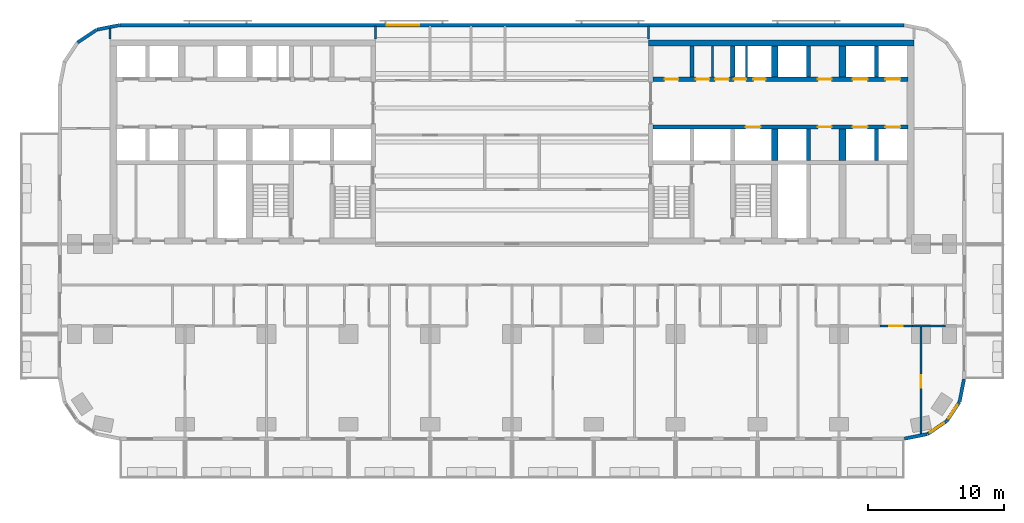
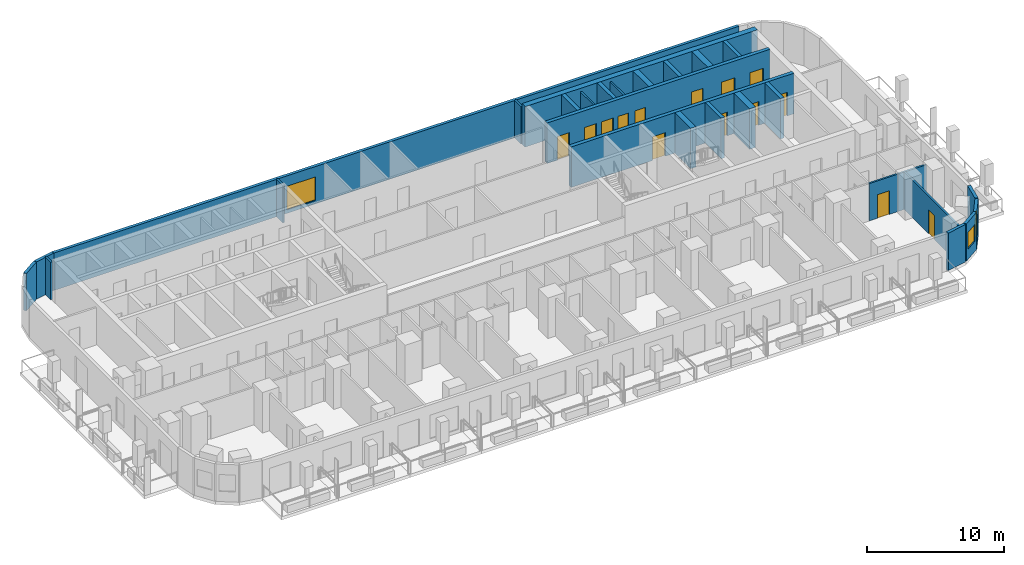
# One storey, part 8 of 14: 28 walls, 14 doors, 3 windows, 17 openings.
"""IFC4 building model written with IfcOpenShell, lengths in metres."""

import ifcopenshell
import ifcopenshell.guid

model = None  # the IFC model being written
_history = None  # IfcOwnerHistory: only IFC2X3 demands one
_inside = {}  # id of a spatial element -> (the spatial element, [elements in it])
_under = {}  # id of a project, library or spatial element -> (it, [spatial elements below it])
_declared = {}  # id of a project -> (the project, [libraries it declares])
_typed = {}  # id of a type object -> (the type object, [elements of that type])
_made_of = {}  # id of a material, layer set ... -> (it, [elements and type objects made of it])


def new_model(schema):
    """Start an empty IFC model of exactly this schema.

    Asked for "IFC4X3", IfcOpenShell would pick the latest addendum, in which some entities
    have other attributes; the version numbers below select the first issue.
    IFC2X3 requires an IfcOwnerHistory on every rooted entity: one is made here for all.
    """
    global model, _history
    if schema == "IFC4X3":
        model = ifcopenshell.file(schema_version=(4, 3, 0, 0))
    else:
        model = ifcopenshell.file(schema=schema)
    _inside.clear()
    _under.clear()
    _declared.clear()
    _typed.clear()
    _made_of.clear()
    _history = None
    if model.schema == "IFC2X3":
        org = make("IfcOrganization", Name="unknown")
        user = make(
            "IfcPersonAndOrganization",
            ThePerson=make("IfcPerson", FamilyName="unknown"),
            TheOrganization=org,
        )
        app = make(
            "IfcApplication",
            ApplicationDeveloper=org,
            Version="unknown",
            ApplicationFullName="unknown",
            ApplicationIdentifier="unknown",
        )
        _history = make(
            "IfcOwnerHistory",
            OwningUser=user,
            OwningApplication=app,
            ChangeAction="ADDED",
            CreationDate=0,
        )
    return model


def make(cls, **values):
    """One entity of the class cls with the attributes given. An attribute that is None is left unset."""
    return model.create_entity(
        cls, **{name: value for name, value in values.items() if value is not None}
    )


def rooted(cls, **values):
    """An entity with a GlobalId (a new one), such as an element, a storey or a relation."""
    return make(cls, GlobalId=ifcopenshell.guid.new(), OwnerHistory=_history, **values)


def si_unit(unit_type, name, prefix=None):
    """IfcSIUnit, for example si_unit("LENGTHUNIT", "METRE", prefix="MILLI")."""
    return make("IfcSIUnit", UnitType=unit_type, Prefix=prefix, Name=name)


def assignment(units):
    """IfcUnitAssignment: the units of a project."""
    return None if units is None else make("IfcUnitAssignment", Units=units)


def point(xyz):
    """IfcCartesianPoint."""
    return None if xyz is None else make("IfcCartesianPoint", Coordinates=xyz)


def direction(xyz):
    """IfcDirection."""
    return None if xyz is None else make("IfcDirection", DirectionRatios=xyz)


def frame(location, z_axis=None, x_axis=None):
    """IfcAxis2Placement3D, a coordinate frame: its origin and axes. An axis left out is left unset."""
    return make(
        "IfcAxis2Placement3D",
        Location=point(location),
        Axis=direction(z_axis),
        RefDirection=direction(x_axis),
    )


def frame_2d(location, x_axis=None):
    """IfcAxis2Placement2D, a coordinate frame in the plane: its origin and x axis."""
    return make(
        "IfcAxis2Placement2D", Location=point(location), RefDirection=direction(x_axis)
    )


def origin():
    """The frame at (0, 0, 0) with its axes left unset."""
    return frame((0.0, 0.0, 0.0))


def place(relative_to, where):
    """IfcLocalPlacement: puts the frame where relative to a parent placement (None: the world)."""
    return make(
        "IfcLocalPlacement", PlacementRelTo=relative_to, RelativePlacement=where
    )


def context(
    kind, dimensions, precision=None, world=None, true_north=None, identifier=None
):
    """IfcGeometricRepresentationContext, for example the 3D "Model" context."""
    return make(
        "IfcGeometricRepresentationContext",
        ContextIdentifier=identifier,
        ContextType=kind,
        CoordinateSpaceDimension=dimensions,
        Precision=precision,
        WorldCoordinateSystem=world,
        TrueNorth=true_north,
    )


def subcontext(parent, identifier, kind, view, scale=None):
    """IfcGeometricRepresentationSubContext, for example "Body" below "Model"."""
    return make(
        "IfcGeometricRepresentationSubContext",
        ContextIdentifier=identifier,
        ContextType=kind,
        ParentContext=parent,
        TargetScale=scale,
        TargetView=view,
    )


def project(units=None, contexts=None):
    """IfcProject with its units and contexts."""
    return rooted(
        "IfcProject",
        Name="project",
        RepresentationContexts=contexts,
        UnitsInContext=assignment(units),
    )


def spatial(cls, under=None, at=None, **own):
    """A site, building, storey or space (cls), placed at a placement, below another one or the project."""
    s = rooted(cls, ObjectPlacement=at, **own)
    if under is not None:
        _under.setdefault(under.id(), (under, []))[1].append(s)
    return s


def profile(cls, at=None, kind="AREA", **sizes):
    """A parametric profile (cls). Its sizes go by their IFC names, for example OverallWidth=200.0."""
    return make(cls, ProfileType=kind, Position=at, **sizes)


def rectangle(**sizes):
    """IfcRectangleProfileDef."""
    return profile("IfcRectangleProfileDef", **sizes)


def extrude(swept, where, along, depth):
    """IfcExtrudedAreaSolid: the profile swept, set in the frame where, extruded along a direction by depth."""
    return make(
        "IfcExtrudedAreaSolid",
        SweptArea=swept,
        Position=where,
        ExtrudedDirection=direction(along),
        Depth=depth,
    )


def shape(context_of_items, identifier, shape_type, items):
    """IfcShapeRepresentation: the items that make up one representation, for example the "Body"."""
    return make(
        "IfcShapeRepresentation",
        ContextOfItems=context_of_items,
        RepresentationIdentifier=identifier,
        RepresentationType=shape_type,
        Items=items,
    )


def material(Name=None, Category=None):
    """IfcMaterial."""
    return make("IfcMaterial", Name=Name, Category=Category)


def layer(
    of_material, thickness, ventilated=None, Name=None, Category=None, Priority=None
):
    """IfcMaterialLayer: one layer of a wall or slab, of a material (None: an air gap)."""
    return make(
        "IfcMaterialLayer",
        Material=of_material,
        LayerThickness=thickness,
        IsVentilated=ventilated,
        Name=Name,
        Category=Category,
        Priority=Priority,
    )


def layer_set(layers, Name=None):
    """IfcMaterialLayerSet."""
    return make("IfcMaterialLayerSet", MaterialLayers=layers, LayerSetName=Name)


def made_of(thing, what):
    """Note that an element or type object is made of a material, layer set ...; save() writes the relation."""
    if what is not None:
        _made_of.setdefault(what.id(), (what, []))[1].append(thing)
    return thing


def type_object(cls, material=None, **own):
    """A type object (cls), such as IfcWallType, which elements share."""
    return made_of(rooted(cls, **own), material)


def element(
    cls,
    number,
    at=None,
    inside=None,
    cuts=None,
    type_object=None,
    material=None,
    context=None,
    identifier="Body",
    shape_type=None,
    held_by="IfcProductDefinitionShape",
    body=None,
    shapes=None,
    **own,
):
    """One element of the class cls, such as IfcWall. Its Tag is "e" and its number.

    at: its placement. inside: the storey or other place that contains it. cuts: it is an
    opening in that element (IfcRelVoidsElement). A single representation is given by context,
    identifier, shape_type and body (its items); several are given by shapes. held_by: the class
    of the entity that holds the representations. save() writes the other relations.
    """
    e = rooted(cls, Tag="e%d" % number, ObjectPlacement=at, **own)
    if body is not None:
        shapes = [shape(context, identifier, shape_type, body)]
    if shapes is not None:
        e.Representation = make(held_by, Representations=shapes)
    if inside is not None:
        _inside.setdefault(inside.id(), (inside, []))[1].append(e)
    if cuts is not None:
        rooted(
            "IfcRelVoidsElement", RelatingBuildingElement=cuts, RelatedOpeningElement=e
        )
    if type_object is not None:
        _typed.setdefault(type_object.id(), (type_object, []))[1].append(e)
    return made_of(e, material)


def fill(opening, filler):
    """IfcRelFillsElement: the door or window that sits in an opening."""
    return rooted(
        "IfcRelFillsElement",
        RelatingOpeningElement=opening,
        RelatedBuildingElement=filler,
    )


def aggregate(whole, parts):
    """IfcRelAggregates: a whole, such as a stair, and the parts it consists of."""
    return rooted("IfcRelAggregates", RelatingObject=whole, RelatedObjects=parts)


def save(model, path):
    """Write the relations noted so far, then the file.

    IfcRelAggregates (storeys below a building ...), IfcRelContainedInSpatialStructure (elements
    in a storey), IfcRelDefinesByType, IfcRelAssociatesMaterial and IfcRelDeclares: one each for
    every whole, place, type object, material and project.
    """
    for whole, parts in _under.values():
        aggregate(whole, parts)
    for where, things in _inside.values():
        rooted(
            "IfcRelContainedInSpatialStructure",
            RelatedElements=things,
            RelatingStructure=where,
        )
    for kind, things in _typed.values():
        rooted("IfcRelDefinesByType", RelatedObjects=things, RelatingType=kind)
    for what, things in _made_of.values():
        rooted("IfcRelAssociatesMaterial", RelatedObjects=things, RelatingMaterial=what)
    for by, libraries in _declared.values():
        rooted("IfcRelDeclares", RelatingContext=by, RelatedDefinitions=libraries)
    model.write(path)


model = new_model("IFC4")

# Units and contexts
model_context = context("Model", 3, precision=1e-05, world=origin(), true_north=direction((0.0, 1.0)))
body_context = subcontext(model_context, "Body", "Model", "MODEL_VIEW")
ifc_project = project(units=[si_unit("LENGTHUNIT", "METRE"), si_unit("AREAUNIT", "SQUARE_METRE"), si_unit("VOLUMEUNIT", "CUBIC_METRE"), si_unit("PLANEANGLEUNIT", "RADIAN"), si_unit("MASSUNIT", "GRAM", prefix="KILO")], contexts=[model_context])

# Site, building, storey
site_placement = place(None, origin())
site = spatial("IfcSite", under=ifc_project, at=site_placement, CompositionType="ELEMENT")
building_placement = place(site_placement, origin())
building = spatial("IfcBuilding", under=site, at=building_placement, Name="Torana Hotel and Residences", CompositionType="ELEMENT")
storey_placement = place(building_placement, frame((0.0, 0.0, 74.39990234375)))
storey = spatial("IfcBuildingStorey", under=building, at=storey_placement, Name="L18", CompositionType="ELEMENT", Elevation=74.39990234375)

# Wall, openings, doors
ifc_material_1 = material(Name="Concrete C80/95", Category="concrete")
ifc_layer_1 = layer(ifc_material_1, 0.300048828125)
ifc_layer_set_1 = layer_set([ifc_layer_1], Name="CORE WALL 300 C80/95")
wall_type_1 = type_object("IfcWallType", Name="CORE WALL 300 C80/95", PredefinedType="SHEAR", material=ifc_layer_set_1)
wall_1_placement = place(storey_placement, frame((10.35009765625, -2.89990234375, 0.0), z_axis=(0.0, 0.0, 1.0), x_axis=(1.0, 0.0, 0.0)))
wall_1 = element("IfcWall", 1, at=wall_1_placement, inside=storey, type_object=wall_type_1, Name="Core wall E row-N", PredefinedType="SHEAR", context=body_context, shape_type="SweptSolid", body=[
    extrude(rectangle(XDim=18.699951171875, YDim=0.300048828125, at=frame_2d((9.35009765625, 0.0))), origin(), (0.0, 0.0, 1.0), 3.60009765625),
])
opening_1_placement = place(wall_1_placement, frame((14.64990234375, 0.0, 0.0)))
opening_1 = element("IfcOpeningElement", 2, at=opening_1_placement, cuts=wall_1, Name="Opening LD", PredefinedType="OPENING", context=body_context, shape_type="SweptSolid", body=[
    extrude(rectangle(XDim=1.10009765625, YDim=2.10009765625, at=frame_2d((0.550048828125, 1.050048828125))), frame((0.0, 0.159912109375, 0.0), z_axis=(0.0, -1.0, 0.0), x_axis=(1.0, 0.0, 0.0)), (0.0, 0.0, 1.0), 0.320068359375),
])
opening_2_placement = place(wall_1_placement, frame((17.050048828125, 0.0, 0.0)))
opening_2 = element("IfcOpeningElement", 3, at=opening_2_placement, cuts=wall_1, Name="Opening LD", PredefinedType="OPENING", context=body_context, shape_type="SweptSolid", body=[
    extrude(rectangle(XDim=1.10009765625, YDim=2.10009765625, at=frame_2d((0.550048828125, 1.050048828125))), frame((0.0, 0.159912109375, 0.0), z_axis=(0.0, -1.0, 0.0), x_axis=(1.0, 0.0, 0.0)), (0.0, 0.0, 1.0), 0.320068359375),
])
opening_3_placement = place(wall_1_placement, frame((5.9375, 0.0, 0.0)))
opening_3 = element("IfcOpeningElement", 4, at=opening_3_placement, cuts=wall_1, Name="Opening L18-28", PredefinedType="OPENING", context=body_context, shape_type="SweptSolid", body=[
    extrude(rectangle(XDim=0.89990234375, YDim=2.10009765625, at=frame_2d((0.449951171875, 1.050048828125))), frame((0.0, 0.159912109375, 0.0), z_axis=(0.0, -1.0, 0.0), x_axis=(1.0, 0.0, 0.0)), (0.0, 0.0, 1.0), 0.320068359375),
])
opening_4_placement = place(wall_1_placement, frame((7.362548828125, 0.0, 0.0)))
opening_4 = element("IfcOpeningElement", 5, at=opening_4_placement, cuts=wall_1, Name="Opening L18-29", PredefinedType="OPENING", context=body_context, shape_type="SweptSolid", body=[
    extrude(rectangle(XDim=0.89990234375, YDim=2.10009765625, at=frame_2d((0.449951171875, 1.050048828125))), frame((0.0, 0.159912109375, 0.0), z_axis=(0.0, -1.0, 0.0), x_axis=(1.0, 0.0, 0.0)), (0.0, 0.0, 1.0), 0.320068359375),
])
opening_5_placement = place(wall_1_placement, frame((0.85009765625, 0.0, 0.0)))
opening_5 = element("IfcOpeningElement", 6, at=opening_5_placement, cuts=wall_1, Name="Opening L18-30", PredefinedType="OPENING", context=body_context, shape_type="SweptSolid", body=[
    extrude(rectangle(XDim=1.0, YDim=2.10009765625, at=frame_2d((0.5, 1.050048828125))), frame((0.0, 0.159912109375, 0.0), z_axis=(0.0, -1.0, 0.0), x_axis=(1.0, 0.0, 0.0)), (0.0, 0.0, 1.0), 0.320068359375),
])
opening_6_placement = place(wall_1_placement, frame((3.137451171875, 0.0, 0.0)))
opening_6 = element("IfcOpeningElement", 7, at=opening_6_placement, cuts=wall_1, Name="Opening L18-31", PredefinedType="OPENING", context=body_context, shape_type="SweptSolid", body=[
    extrude(rectangle(XDim=1.0, YDim=2.10009765625, at=frame_2d((0.5, 1.050048828125))), frame((0.0, 0.159912109375, 0.0), z_axis=(0.0, -1.0, 0.0), x_axis=(1.0, 0.0, 0.0)), (0.0, 0.0, 1.0), 0.320068359375),
])
opening_7_placement = place(wall_1_placement, frame((4.5625, 0.0, 0.0)))
opening_7 = element("IfcOpeningElement", 8, at=opening_7_placement, cuts=wall_1, Name="Opening L18-32", PredefinedType="OPENING", context=body_context, shape_type="SweptSolid", body=[
    extrude(rectangle(XDim=1.0, YDim=2.10009765625, at=frame_2d((0.5, 1.050048828125))), frame((0.0, 0.159912109375, 0.0), z_axis=(0.0, -1.0, 0.0), x_axis=(1.0, 0.0, 0.0)), (0.0, 0.0, 1.0), 0.320068359375),
])
opening_8_placement = place(wall_1_placement, frame((12.10009765625, 0.0, 0.0)))
opening_8 = element("IfcOpeningElement", 9, at=opening_8_placement, cuts=wall_1, Name="Opening L18-33", PredefinedType="OPENING", context=body_context, shape_type="SweptSolid", body=[
    extrude(rectangle(XDim=1.0, YDim=2.10009765625, at=frame_2d((0.5, 1.050048828125))), frame((0.0, 0.159912109375, 0.0), z_axis=(0.0, -1.0, 0.0), x_axis=(1.0, 0.0, 0.0)), (0.0, 0.0, 1.0), 0.320068359375),
])
ifc_material_2 = material(Name="Steel S235", Category="steel")
door_type_1 = type_object("IfcDoorType", Name="CORE ROOM FIRE DOOR D14 1000x2100", OperationType="SINGLE_SWING_LEFT", PredefinedType="DOOR", material=ifc_material_2)
door_1_placement = place(opening_5_placement, origin())
door_1 = element("IfcDoor", 10, at=door_1_placement, inside=storey, type_object=door_type_1, Name="N0 door L18", OperationType="SINGLE_SWING_RIGHT", OverallHeight=2.10009765625, OverallWidth=1.0, PredefinedType="DOOR", context=body_context, shape_type="SweptSolid", body=[
    extrude(rectangle(XDim=1.0, YDim=2.10009765625, at=frame_2d((0.5, 1.050048828125))), frame((0.0, 0.02490234375, 0.0), z_axis=(0.0, -1.0, 0.0), x_axis=(1.0, 0.0, 0.0)), (0.0, 0.0, 1.0), 0.050048828125),
])
fill(opening_5, door_1)
door_2_placement = place(opening_6_placement, origin())
door_2 = element("IfcDoor", 11, at=door_2_placement, inside=storey, type_object=door_type_1, Name="N1A door L18", OperationType="SINGLE_SWING_RIGHT", OverallHeight=2.10009765625, OverallWidth=1.0, PredefinedType="DOOR", context=body_context, shape_type="SweptSolid", body=[
    extrude(rectangle(XDim=1.0, YDim=2.10009765625, at=frame_2d((0.5, 1.050048828125))), frame((0.0, 0.02490234375, 0.0), z_axis=(0.0, -1.0, 0.0), x_axis=(1.0, 0.0, 0.0)), (0.0, 0.0, 1.0), 0.050048828125),
])
fill(opening_6, door_2)
door_3_placement = place(opening_7_placement, origin())
door_3 = element("IfcDoor", 12, at=door_3_placement, inside=storey, type_object=door_type_1, Name="N1B door L18", OperationType="SINGLE_SWING_RIGHT", OverallHeight=2.10009765625, OverallWidth=1.0, PredefinedType="DOOR", context=body_context, shape_type="SweptSolid", body=[
    extrude(rectangle(XDim=1.0, YDim=2.10009765625, at=frame_2d((0.5, 1.050048828125))), frame((0.0, 0.02490234375, 0.0), z_axis=(0.0, -1.0, 0.0), x_axis=(1.0, 0.0, 0.0)), (0.0, 0.0, 1.0), 0.050048828125),
])
fill(opening_7, door_3)
door_4_placement = place(opening_8_placement, origin())
door_4 = element("IfcDoor", 13, at=door_4_placement, inside=storey, type_object=door_type_1, Name="Free-M3 door L18", OperationType="SINGLE_SWING_RIGHT", OverallHeight=2.10009765625, OverallWidth=1.0, PredefinedType="DOOR", context=body_context, shape_type="SweptSolid", body=[
    extrude(rectangle(XDim=1.0, YDim=2.10009765625, at=frame_2d((0.5, 1.050048828125))), frame((0.0, 0.02490234375, 0.0), z_axis=(0.0, -1.0, 0.0), x_axis=(1.0, 0.0, 0.0)), (0.0, 0.0, 1.0), 0.050048828125),
])
fill(opening_8, door_4)
ifc_material_3 = material(Name="Stainless steel 316", Category="steel")
door_type_2 = type_object("IfcDoorType", Name="LIFT LANDING DOOR LD 1100x2100", OperationType="DOUBLE_DOOR_SLIDING", PredefinedType="USERDEFINED", material=ifc_material_3)
door_5_placement = place(opening_1_placement, origin())
door_5 = element("IfcDoor", 14, at=door_5_placement, inside=storey, type_object=door_type_2, Name="Lift landing door L5 L18", ObjectType="LIFT LANDING DOOR", OperationType="DOUBLE_DOOR_SLIDING", OverallHeight=2.10009765625, OverallWidth=1.10009765625, PredefinedType="USERDEFINED", context=body_context, shape_type="SweptSolid", body=[
    extrude(rectangle(XDim=1.10009765625, YDim=2.10009765625, at=frame_2d((0.550048828125, 1.050048828125))), frame((0.0, 0.02490234375, 0.0), z_axis=(0.0, -1.0, 0.0), x_axis=(1.0, 0.0, 0.0)), (0.0, 0.0, 1.0), 0.050048828125),
])
fill(opening_1, door_5)
door_6_placement = place(opening_2_placement, origin())
door_6 = element("IfcDoor", 15, at=door_6_placement, inside=storey, type_object=door_type_2, Name="Lift landing door L6 L18", ObjectType="LIFT LANDING DOOR", OperationType="DOUBLE_DOOR_SLIDING", OverallHeight=2.10009765625, OverallWidth=1.10009765625, PredefinedType="USERDEFINED", context=body_context, shape_type="SweptSolid", body=[
    extrude(rectangle(XDim=1.10009765625, YDim=2.10009765625, at=frame_2d((0.550048828125, 1.050048828125))), frame((0.0, 0.02490234375, 0.0), z_axis=(0.0, -1.0, 0.0), x_axis=(1.0, 0.0, 0.0)), (0.0, 0.0, 1.0), 0.050048828125),
])
fill(opening_2, door_6)
ifc_material_4 = material(Name="Steel S235", Category="steel")
door_type_3 = type_object("IfcDoorType", Name="RISER ACCESS DOOR D5 900x2100", OperationType="SINGLE_SWING_LEFT", PredefinedType="DOOR", material=ifc_material_4)
door_7_placement = place(opening_3_placement, origin())
door_7 = element("IfcDoor", 16, at=door_7_placement, inside=storey, type_object=door_type_3, Name="N2A door L18", OperationType="SINGLE_SWING_RIGHT", OverallHeight=2.10009765625, OverallWidth=0.89990234375, PredefinedType="DOOR", context=body_context, shape_type="SweptSolid", body=[
    extrude(rectangle(XDim=0.89990234375, YDim=2.10009765625, at=frame_2d((0.449951171875, 1.050048828125))), frame((0.0, 0.02490234375, 0.0), z_axis=(0.0, -1.0, 0.0), x_axis=(1.0, 0.0, 0.0)), (0.0, 0.0, 1.0), 0.050048828125),
])
fill(opening_3, door_7)
door_8_placement = place(opening_4_placement, origin())
door_8 = element("IfcDoor", 17, at=door_8_placement, inside=storey, type_object=door_type_3, Name="N2B door L18", OperationType="SINGLE_SWING_RIGHT", OverallHeight=2.10009765625, OverallWidth=0.89990234375, PredefinedType="DOOR", context=body_context, shape_type="SweptSolid", body=[
    extrude(rectangle(XDim=0.89990234375, YDim=2.10009765625, at=frame_2d((0.449951171875, 1.050048828125))), frame((0.0, 0.02490234375, 0.0), z_axis=(0.0, -1.0, 0.0), x_axis=(1.0, 0.0, 0.0)), (0.0, 0.0, 1.0), 0.050048828125),
])
fill(opening_4, door_8)

wall_2_placement = place(storey_placement, frame((10.35009765625, -6.39990234375, 0.0), z_axis=(0.0, 0.0, 1.0), x_axis=(1.0, 0.0, 0.0)))
wall_2 = element("IfcWall", 18, at=wall_2_placement, inside=storey, type_object=wall_type_1, Name="Core wall E row-S", PredefinedType="SHEAR", context=body_context, shape_type="SweptSolid", body=[
    extrude(rectangle(XDim=18.699951171875, YDim=0.300048828125, at=frame_2d((9.35009765625, 0.0))), origin(), (0.0, 0.0, 1.0), 3.60009765625),
])
opening_9_placement = place(wall_2_placement, frame((14.64990234375, 0.0, 0.0)))
opening_9 = element("IfcOpeningElement", 19, at=opening_9_placement, cuts=wall_2, Name="Opening LD", PredefinedType="OPENING", context=body_context, shape_type="SweptSolid", body=[
    extrude(rectangle(XDim=1.10009765625, YDim=2.10009765625, at=frame_2d((0.550048828125, 1.050048828125))), frame((0.0, 0.159912109375, 0.0), z_axis=(0.0, -1.0, 0.0), x_axis=(1.0, 0.0, 0.0)), (0.0, 0.0, 1.0), 0.320068359375),
])
opening_10_placement = place(wall_2_placement, frame((17.050048828125, 0.0, 0.0)))
opening_10 = element("IfcOpeningElement", 20, at=opening_10_placement, cuts=wall_2, Name="Opening LD", PredefinedType="OPENING", context=body_context, shape_type="SweptSolid", body=[
    extrude(rectangle(XDim=1.10009765625, YDim=2.10009765625, at=frame_2d((0.550048828125, 1.050048828125))), frame((0.0, 0.159912109375, 0.0), z_axis=(0.0, -1.0, 0.0), x_axis=(1.0, 0.0, 0.0)), (0.0, 0.0, 1.0), 0.320068359375),
])
opening_11_placement = place(wall_2_placement, frame((6.800048828125, 0.0, 0.0)))
opening_11 = element("IfcOpeningElement", 21, at=opening_11_placement, cuts=wall_2, Name="Opening LD", PredefinedType="OPENING", context=body_context, shape_type="SweptSolid", body=[
    extrude(rectangle(XDim=1.10009765625, YDim=2.10009765625, at=frame_2d((0.550048828125, 1.050048828125))), frame((0.0, 0.159912109375, 0.0), z_axis=(0.0, -1.0, 0.0), x_axis=(1.0, 0.0, 0.0)), (0.0, 0.0, 1.0), 0.320068359375),
])
opening_12_placement = place(wall_2_placement, frame((12.10009765625, 0.0, 0.0)))
opening_12 = element("IfcOpeningElement", 22, at=opening_12_placement, cuts=wall_2, Name="Opening L18-34", PredefinedType="OPENING", context=body_context, shape_type="SweptSolid", body=[
    extrude(rectangle(XDim=1.0, YDim=2.10009765625, at=frame_2d((0.5, 1.050048828125))), frame((0.0, 0.159912109375, 0.0), z_axis=(0.0, -1.0, 0.0), x_axis=(1.0, 0.0, 0.0)), (0.0, 0.0, 1.0), 0.320068359375),
])
door_9_placement = place(opening_12_placement, frame((0.5, 0.0, 0.0), z_axis=(0.0, 0.0, 1.0), x_axis=(-1.0, 0.0, 0.0)))
door_9 = element("IfcDoor", 23, at=door_9_placement, inside=storey, type_object=door_type_1, Name="Free-M4 door L18", OperationType="SINGLE_SWING_LEFT", OverallHeight=2.10009765625, OverallWidth=1.0, PredefinedType="DOOR", context=body_context, shape_type="SweptSolid", body=[
    extrude(rectangle(XDim=1.0, YDim=2.10009765625, at=frame_2d((0.0, 1.050048828125))), frame((0.0, -0.02490234375, 0.0), z_axis=(0.0, 1.0, 0.0), x_axis=(-1.0, 0.0, 0.0)), (0.0, 0.0, 1.0), 0.050048828125),
])
fill(opening_12, door_9)
door_10_placement = place(opening_9_placement, origin())
door_10 = element("IfcDoor", 24, at=door_10_placement, inside=storey, type_object=door_type_2, Name="Lift landing door L7 L18", ObjectType="LIFT LANDING DOOR", OperationType="DOUBLE_DOOR_SLIDING", OverallHeight=2.10009765625, OverallWidth=1.10009765625, PredefinedType="USERDEFINED", context=body_context, shape_type="SweptSolid", body=[
    extrude(rectangle(XDim=1.10009765625, YDim=2.10009765625, at=frame_2d((0.550048828125, 1.050048828125))), frame((0.0, 0.02490234375, 0.0), z_axis=(0.0, -1.0, 0.0), x_axis=(1.0, 0.0, 0.0)), (0.0, 0.0, 1.0), 0.050048828125),
])
fill(opening_9, door_10)
door_11_placement = place(opening_10_placement, origin())
door_11 = element("IfcDoor", 25, at=door_11_placement, inside=storey, type_object=door_type_2, Name="Lift landing door L8 L18", ObjectType="LIFT LANDING DOOR", OperationType="DOUBLE_DOOR_SLIDING", OverallHeight=2.10009765625, OverallWidth=1.10009765625, PredefinedType="USERDEFINED", context=body_context, shape_type="SweptSolid", body=[
    extrude(rectangle(XDim=1.10009765625, YDim=2.10009765625, at=frame_2d((0.550048828125, 1.050048828125))), frame((0.0, 0.02490234375, 0.0), z_axis=(0.0, -1.0, 0.0), x_axis=(1.0, 0.0, 0.0)), (0.0, 0.0, 1.0), 0.050048828125),
])
fill(opening_10, door_11)
door_12_placement = place(opening_11_placement, origin())
door_12 = element("IfcDoor", 26, at=door_12_placement, inside=storey, type_object=door_type_2, Name="Lift landing door SV2 L18", ObjectType="LIFT LANDING DOOR", OperationType="DOUBLE_DOOR_SLIDING", OverallHeight=2.10009765625, OverallWidth=1.10009765625, PredefinedType="USERDEFINED", context=body_context, shape_type="SweptSolid", body=[
    extrude(rectangle(XDim=1.10009765625, YDim=2.10009765625, at=frame_2d((0.550048828125, 1.050048828125))), frame((0.0, 0.02490234375, 0.0), z_axis=(0.0, -1.0, 0.0), x_axis=(1.0, 0.0, 0.0)), (0.0, 0.0, 1.0), 0.050048828125),
])
fill(opening_11, door_12)

# Walls
for number, where, z_axis, x_axis, name in (
    (27, (13.199951171875, -2.75, 0.0), (0.0, 0.0, 1.0), (0.0, 1.0, 0.0), "Core wall E x3.05-N"),
    (28, (16.199951171875, -2.75, 0.0), (0.0, 0.0, 1.0), (0.0, 1.0, 0.0), "Core wall E x6.05-N"),
    (29, (21.75, -2.75, 0.0), (0.0, 0.0, 1.0), (0.0, 1.0, 0.0), "Core wall E mm-N"),
    (30, (21.75, -8.85009765625, 0.0), (0.0, 0.0, 1.0), (0.0, 1.0, 0.0), "Core wall E mm-S"),
    (31, (26.75, -2.75, 0.0), (0.0, 0.0, 1.0), (0.0, 1.0, 0.0), "Core wall E ll-N"),
    (32, (26.75, -8.85009765625, 0.0), (0.0, 0.0, 1.0), (0.0, 1.0, 0.0), "Core wall E ll-S"),
):
    element("IfcWall", number, at=place(storey_placement, frame(where, z_axis=z_axis, x_axis=x_axis)), inside=storey, type_object=wall_type_1, Name=name, PredefinedType="SHEAR", context=body_context, shape_type="SweptSolid", body=[
        extrude(rectangle(XDim=2.300048828125, YDim=0.300048828125, at=frame_2d((1.14990234375, 0.0))), origin(), (0.0, 0.0, 1.0), 3.60009765625),
    ])
ifc_material_5 = material(Name="Concrete C80/95", Category="concrete")
ifc_layer_2 = layer(ifc_material_5, 0.449951171875)
ifc_layer_set_2 = layer_set([ifc_layer_2], Name="CORE WALL 450 C80/95")
wall_type_2 = type_object("IfcWallType", Name="CORE WALL 450 C80/95", PredefinedType="SHEAR", material=ifc_layer_set_2)
wall_3_placement = place(storey_placement, frame((10.0, -0.22509765625, 0.0), z_axis=(0.0, 0.0, 1.0), x_axis=(1.0, 0.0, 0.0)))
element("IfcWall", 33, at=wall_3_placement, inside=storey, type_object=wall_type_2, Name="Core wall E rear", PredefinedType="SHEAR", context=body_context, shape_type="SweptSolid", body=[
    extrude(rectangle(XDim=19.5, YDim=0.449951171875, at=frame_2d((9.75, 0.0))), origin(), (0.0, 0.0, 1.0), 3.60009765625),
])
for number, where, z_axis, x_axis, name in (
    (34, (19.27490234375, -2.75, 0.0), (0.0, 0.0, 1.0), (0.0, 1.0, 0.0), "Core wall E hm-N"),
    (35, (19.27490234375, -8.85009765625, 0.0), (0.0, 0.0, 1.0), (0.0, 1.0, 0.0), "Core wall E hm-S"),
):
    element("IfcWall", number, at=place(storey_placement, frame(where, z_axis=z_axis, x_axis=x_axis)), inside=storey, type_object=wall_type_2, Name=name, PredefinedType="SHEAR", context=body_context, shape_type="SweptSolid", body=[
        extrude(rectangle(XDim=2.300048828125, YDim=0.449951171875, at=frame_2d((1.14990234375, 0.0))), origin(), (0.0, 0.0, 1.0), 3.60009765625),
    ])
ifc_material_6 = material(Name="Concrete C80/95", Category="concrete")
ifc_layer_3 = layer(ifc_material_6, 0.5)
ifc_layer_set_3 = layer_set([ifc_layer_3], Name="CORE WALL 500 C80/95")
wall_type_3 = type_object("IfcWallType", Name="CORE WALL 500 C80/95", PredefinedType="SHEAR", material=ifc_layer_set_3)
for number, where, z_axis, x_axis, name in (
    (36, (24.25, -2.75, 0.0), (0.0, 0.0, 1.0), (0.0, 1.0, 0.0), "Core wall E ml-N"),
    (37, (24.25, -8.85009765625, 0.0), (0.0, 0.0, 1.0), (0.0, 1.0, 0.0), "Core wall E ml-S"),
):
    element("IfcWall", number, at=place(storey_placement, frame(where, z_axis=z_axis, x_axis=x_axis)), inside=storey, type_object=wall_type_3, Name=name, PredefinedType="SHEAR", context=body_context, shape_type="SweptSolid", body=[
        extrude(rectangle(XDim=2.300048828125, YDim=0.5, at=frame_2d((1.14990234375, 0.0))), origin(), (0.0, 0.0, 1.0), 3.60009765625),
    ])
ifc_material_7 = material(Name="Black aluminium composite panel", Category="aluminium")
ifc_layer_4 = layer(ifc_material_7, 0.00390625, Name="Cladding", Category="cladding")
ifc_material_8 = material(Name="Ventilated air cavity")
ifc_layer_5 = layer(ifc_material_8, 0.0400390625, Name="Ventilated cavity", Category="cavity")
ifc_material_9 = material(Name="Mineral wool insulation")
ifc_layer_6 = layer(ifc_material_9, 0.090087890625, Name="Insulation", Category="insulation")
ifc_material_10 = material(Name="Steel S280GD", Category="steel")
ifc_layer_7 = layer(ifc_material_10, 0.092041015625, Name="Steel stud frame", Category="structure")
ifc_material_11 = material(Name="Fire rated plasterboard")
ifc_layer_8 = layer(ifc_material_11, 0.011962890625, Name="Inner board", Category="finish")
ifc_layer_9 = layer(ifc_material_11, 0.011962890625, Name="Second board", Category="finish")
ifc_layer_set_4 = layer_set([ifc_layer_4, ifc_layer_5, ifc_layer_6, ifc_layer_7, ifc_layer_8, ifc_layer_9], Name="EW1 EXTERNAL WALL BLACK METAL CLAD 250")
wall_type_4 = type_object("IfcWallType", Name="EW1 EXTERNAL WALL BLACK METAL CLAD 250", PredefinedType="SOLIDWALL", material=ifc_layer_set_4)
wall_4_placement = place(storey_placement, frame((-28.7998046875, 1.072509765625, 0.0), z_axis=(0.0, 0.0, 1.0), x_axis=(-0.980803419081, -0.194999110559, 0.0)))
element("IfcWall", 38, at=wall_4_placement, inside=storey, type_object=wall_type_4, Name="External wall L18 e0.5", PredefinedType="SOLIDWALL", context=body_context, shape_type="SweptSolid", body=[
    extrude(rectangle(XDim=1.681396484375, YDim=0.25, at=frame_2d((0.8408203125, 0.0))), origin(), (0.0, 0.0, 1.0), 3.320068359375),
])
wall_5_placement = place(storey_placement, frame((-30.493896484375, 0.725830078125, 0.0), z_axis=(0.0, 0.0, 1.0), x_axis=(-0.831482937015, -0.55555029066, 0.0)))
element("IfcWall", 39, at=wall_5_placement, inside=storey, type_object=wall_type_4, Name="External wall L18 e0.6", PredefinedType="SOLIDWALL", context=body_context, shape_type="SweptSolid", body=[
    extrude(rectangle(XDim=1.65625, YDim=0.25, at=frame_2d((0.828125, 0.0))), origin(), (0.0, 0.0, 1.0), 3.320068359375),
])
wall_6_placement = place(storey_placement, frame((28.7998046875, -29.272705078125, 0.0), z_axis=(0.0, 0.0, 1.0), x_axis=(0.980775640221, 0.19513878023, 0.0)))
element("IfcWall", 40, at=wall_6_placement, inside=storey, type_object=wall_type_4, Name="External wall L18 e0.15", PredefinedType="SOLIDWALL", context=body_context, shape_type="SweptSolid", body=[
    extrude(rectangle(XDim=1.681396484375, YDim=0.25, at=frame_2d((0.8408203125, 0.0))), origin(), (0.0, 0.0, 1.0), 3.320068359375),
])

# Wall, opening, window
wall_7_placement = place(storey_placement, frame((30.493896484375, -28.92578125, 0.0), z_axis=(0.0, 0.0, 1.0), x_axis=(0.831482937015, 0.55555029066, 0.0)))
wall_7 = element("IfcWall", 41, at=wall_7_placement, inside=storey, type_object=wall_type_4, Name="External wall L18 e0.16", PredefinedType="SOLIDWALL", context=body_context, shape_type="SweptSolid", body=[
    extrude(rectangle(XDim=1.65625, YDim=0.25, at=frame_2d((0.828125, 0.0))), origin(), (0.0, 0.0, 1.0), 3.320068359375),
])
opening_13_placement = place(wall_7_placement, frame((0.228271484375, 0.0, 0.89990234375)))
opening_13 = element("IfcOpeningElement", 42, at=opening_13_placement, cuts=wall_7, Name="Opening W5", PredefinedType="OPENING", context=body_context, shape_type="SweptSolid", body=[
    extrude(rectangle(XDim=1.199951171875, YDim=1.5, at=frame_2d((0.60009765625, 0.75))), frame((0.0, 0.135009765625, 0.0), z_axis=(0.0, -1.0, 0.0), x_axis=(1.0, 0.0, 0.0)), (0.0, 0.0, 1.0), 0.27001953125),
])
ifc_material_12 = material(Name="Dark glass in black aluminium frame", Category="aluminium")
window_type_1 = type_object("IfcWindowType", Name="W5 CORNER FACET WINDOW 1200x1500", PartitioningType="SINGLE_PANEL", PredefinedType="WINDOW", material=ifc_material_12)
window_1_placement = place(opening_13_placement, origin())
window_1 = element("IfcWindow", 43, at=window_1_placement, inside=storey, type_object=window_type_1, Name="Window L18 e0.16", OverallHeight=1.5, OverallWidth=1.199951171875, PartitioningType="SINGLE_PANEL", PredefinedType="WINDOW", context=body_context, shape_type="SweptSolid", body=[
    extrude(rectangle(XDim=1.199951171875, YDim=1.5, at=frame_2d((0.60009765625, 0.75))), frame((0.0, 0.030029296875, 0.0), z_axis=(0.0, -1.0, 0.0), x_axis=(1.0, 0.0, 0.0)), (0.0, 0.0, 1.0), 0.06005859375),
])
fill(opening_13, window_1)

wall_8_placement = place(storey_placement, frame((31.90576171875, -27.97119140625, 0.0), z_axis=(0.0, 0.0, 1.0), x_axis=(0.55555029066, 0.831482937015, 0.0)))
wall_8 = element("IfcWall", 44, at=wall_8_placement, inside=storey, type_object=wall_type_4, Name="External wall L18 e0.17", PredefinedType="SOLIDWALL", context=body_context, shape_type="SweptSolid", body=[
    extrude(rectangle(XDim=1.65625, YDim=0.25, at=frame_2d((0.828125, 0.0))), origin(), (0.0, 0.0, 1.0), 3.320068359375),
])
opening_14_placement = place(wall_8_placement, frame((0.228271484375, 0.0, 0.89990234375)))
opening_14 = element("IfcOpeningElement", 45, at=opening_14_placement, cuts=wall_8, Name="Opening W5", PredefinedType="OPENING", context=body_context, shape_type="SweptSolid", body=[
    extrude(rectangle(XDim=1.199951171875, YDim=1.5, at=frame_2d((0.60009765625, 0.75))), frame((0.0, 0.135009765625, 0.0), z_axis=(0.0, -1.0, 0.0), x_axis=(1.0, 0.0, 0.0)), (0.0, 0.0, 1.0), 0.27001953125),
])
window_2_placement = place(opening_14_placement, origin())
window_2 = element("IfcWindow", 46, at=window_2_placement, inside=storey, type_object=window_type_1, Name="Window L18 e0.17", OverallHeight=1.5, OverallWidth=1.199951171875, PartitioningType="SINGLE_PANEL", PredefinedType="WINDOW", context=body_context, shape_type="SweptSolid", body=[
    extrude(rectangle(XDim=1.199951171875, YDim=1.5, at=frame_2d((0.60009765625, 0.75))), frame((0.0, 0.030029296875, 0.0), z_axis=(0.0, -1.0, 0.0), x_axis=(1.0, 0.0, 0.0)), (0.0, 0.0, 1.0), 0.06005859375),
])
fill(opening_14, window_2)

# Wall
wall_9_placement = place(storey_placement, frame((32.844482421875, -26.548828125, 0.0), z_axis=(0.0, 0.0, 1.0), x_axis=(0.195166572128, 0.980770110232, 0.0)))
element("IfcWall", 47, at=wall_9_placement, inside=storey, type_object=wall_type_4, Name="External wall L18 e0.18", PredefinedType="SOLIDWALL", context=body_context, shape_type="SweptSolid", body=[
    extrude(rectangle(XDim=1.68115234375, YDim=0.25, at=frame_2d((0.840576171875, 0.0))), origin(), (0.0, 0.0, 1.0), 3.320068359375),
])

# Wall, opening, window
ifc_material_13 = material(Name="Concrete C40/50 precast", Category="concrete")
ifc_layer_10 = layer(ifc_material_13, 0.10009765625, Name="Perforated block", Category="cladding")
ifc_material_14 = material(Name="Air cavity")
ifc_layer_11 = layer(ifc_material_14, 0.030029296875, Name="Cavity", Category="cavity")
ifc_material_15 = material(Name="Concrete C40/50", Category="concrete")
ifc_layer_12 = layer(ifc_material_15, 0.10009765625, Name="Wall", Category="structure")
ifc_material_16 = material(Name="Plaster and paint")
ifc_layer_13 = layer(ifc_material_16, 0.02001953125, Name="Inner finish", Category="finish")
ifc_layer_set_5 = layer_set([ifc_layer_10, ifc_layer_11, ifc_layer_12, ifc_layer_13], Name="EW2 PERFORATED BLOCK SCREEN WALL 250")
wall_type_5 = type_object("IfcWallType", Name="EW2 PERFORATED BLOCK SCREEN WALL 250", PredefinedType="SOLIDWALL", material=ifc_layer_set_5)
wall_10_placement = place(storey_placement, frame((28.775390625, 1.074951171875, 0.0), z_axis=(0.0, 0.0, 1.0), x_axis=(-1.0, 0.0, 0.0)))
wall_10 = element("IfcWall", 48, at=wall_10_placement, inside=storey, type_object=wall_type_5, Name="External wall L18 e0.4", PredefinedType="SOLIDWALL", context=body_context, shape_type="SweptSolid", body=[
    extrude(rectangle(XDim=57.55078125, YDim=0.25, at=frame_2d((28.775390625, 0.0))), origin(), (0.0, 0.0, 1.0), 3.320068359375),
])
opening_15_placement = place(wall_10_placement, frame((35.575439453125, 0.0, 0.300048828125)))
opening_15 = element("IfcOpeningElement", 49, at=opening_15_placement, cuts=wall_10, Name="Opening W1", PredefinedType="OPENING", context=body_context, shape_type="SweptSolid", body=[
    extrude(rectangle(XDim=2.39990234375, YDim=2.10009765625, at=frame_2d((1.199951171875, 1.050048828125))), frame((0.0, 0.135009765625, 0.0), z_axis=(0.0, -1.0, 0.0), x_axis=(1.0, 0.0, 0.0)), (0.0, 0.0, 1.0), 0.27001953125),
])
ifc_material_17 = material(Name="Dark glass in black aluminium frame", Category="aluminium")
window_type_2 = type_object("IfcWindowType", Name="W1 HOTEL ROOM WINDOW 2400x2100", PartitioningType="SINGLE_PANEL", PredefinedType="WINDOW", material=ifc_material_17)
window_3_placement = place(opening_15_placement, origin())
window_3 = element("IfcWindow", 50, at=window_3_placement, inside=storey, type_object=window_type_2, Name="Window L18", OverallHeight=2.10009765625, OverallWidth=2.39990234375, PartitioningType="SINGLE_PANEL", PredefinedType="WINDOW", context=body_context, shape_type="SweptSolid", body=[
    extrude(rectangle(XDim=2.39990234375, YDim=2.10009765625, at=frame_2d((1.199951171875, 1.050048828125))), frame((0.0, 0.030029296875, 0.0), z_axis=(0.0, -1.0, 0.0), x_axis=(1.0, 0.0, 0.0)), (0.0, 0.0, 1.0), 0.06005859375),
])
fill(opening_15, window_3)

# Walls
ifc_material_18 = material(Name="Gypsum plaster")
ifc_layer_14 = layer(ifc_material_18, 0.014892578125, Name="Plaster", Category="finish")
ifc_material_19 = material(Name="Concrete blockwork", Category="masonry")
ifc_layer_15 = layer(ifc_material_19, 0.1201171875, Name="Blockwork", Category="structure")
ifc_layer_16 = layer(ifc_material_18, 0.014892578125, Name="Plaster", Category="finish")
ifc_layer_set_6 = layer_set([ifc_layer_14, ifc_layer_15, ifc_layer_16], Name="FIRE PARTITION 150 BLOCKWORK")
wall_type_6 = type_object("IfcWallType", Name="FIRE PARTITION 150 BLOCKWORK", PredefinedType="PARTITIONING", material=ifc_layer_set_6)
for number, where, z_axis, x_axis, name in (
    (51, (17.199951171875, -2.75, 0.0), (0.0, 0.0, 1.0), (0.0, 1.0, 0.0), "Core partition L18"),
    (52, (14.699951171875, -2.75, 0.0), (0.0, 0.0, 1.0), (0.0, 1.0, 0.0), "Core partition L18"),
):
    element("IfcWall", number, at=place(storey_placement, frame(where, z_axis=z_axis, x_axis=x_axis)), inside=storey, type_object=wall_type_6, Name=name, PredefinedType="PARTITIONING", context=body_context, shape_type="SweptSolid", body=[
        extrude(rectangle(XDim=2.300048828125, YDim=0.14990234375, at=frame_2d((1.14990234375, 0.0))), origin(), (0.0, 0.0, 1.0), 3.300048828125),
    ])

# Wall, opening, door
wall_11_placement = place(storey_placement, frame((27.0, -21.0, 0.0), z_axis=(0.0, 0.0, 1.0), x_axis=(1.0, 0.0, 0.0)))
wall_11 = element("IfcWall", 53, at=wall_11_placement, inside=storey, type_object=wall_type_6, Name="Partition L18", PredefinedType="PARTITIONING", context=body_context, shape_type="SweptSolid", body=[
    extrude(rectangle(XDim=2.39990234375, YDim=0.14990234375, at=frame_2d((1.199951171875, 0.0))), origin(), (0.0, 0.0, 1.0), 3.320068359375),
])
opening_16_placement = place(wall_11_placement, frame((0.679931640625, 0.0, 0.0)))
opening_16 = element("IfcOpeningElement", 54, at=opening_16_placement, cuts=wall_11, Name="Opening L18-81", PredefinedType="OPENING", context=body_context, shape_type="SweptSolid", body=[
    extrude(rectangle(XDim=1.0, YDim=2.10009765625, at=frame_2d((0.5, 1.050048828125))), frame((0.0, 0.0849609375, 0.0), z_axis=(0.0, -1.0, 0.0), x_axis=(1.0, 0.0, 0.0)), (0.0, 0.0, 1.0), 0.169921875),
])
ifc_material_20 = material(Name="Steel S235", Category="steel")
door_type_4 = type_object("IfcDoorType", Name="ENTRY FIRE DOOR D6 1000x2100", OperationType="SINGLE_SWING_LEFT", PredefinedType="DOOR", material=ifc_material_20)
door_13_placement = place(opening_16_placement, frame((0.5, 0.0, 0.0), z_axis=(0.0, 0.0, 1.0), x_axis=(-1.0, 0.0, 0.0)))
door_13 = element("IfcDoor", 55, at=door_13_placement, inside=storey, type_object=door_type_4, Name="Door L18", OperationType="SINGLE_SWING_RIGHT", OverallHeight=2.10009765625, OverallWidth=1.0, PredefinedType="DOOR", context=body_context, shape_type="SweptSolid", body=[
    extrude(rectangle(XDim=1.0, YDim=2.10009765625, at=frame_2d((0.0, 1.050048828125))), frame((0.0, -0.02490234375, 0.0), z_axis=(0.0, 1.0, 0.0), x_axis=(-1.0, 0.0, 0.0)), (0.0, 0.0, 1.0), 0.050048828125),
])
fill(opening_16, door_13)

ifc_material_21 = material(Name="Gypsum plasterboard")
ifc_layer_17 = layer(ifc_material_21, 0.012451171875, Name="Plasterboard", Category="finish")
ifc_layer_18 = layer(ifc_material_21, 0.012451171875, Name="Plasterboard", Category="finish")
ifc_layer_19 = layer(ifc_material_10, 0.10009765625, Name="Steel studs with mineral wool", Category="insulation")
ifc_layer_20 = layer(ifc_material_21, 0.012451171875, Name="Plasterboard", Category="finish")
ifc_layer_21 = layer(ifc_material_21, 0.012451171875, Name="Plasterboard", Category="finish")
ifc_layer_set_7 = layer_set([ifc_layer_17, ifc_layer_18, ifc_layer_19, ifc_layer_20, ifc_layer_21], Name="PARTITION 150 PLASTERBOARD")
wall_type_7 = type_object("IfcWallType", Name="PARTITION 150 PLASTERBOARD", PredefinedType="PARTITIONING", material=ifc_layer_set_7)
wall_12_placement = place(storey_placement, frame((30.0, -28.977783203125, 0.0), z_axis=(0.0, 0.0, 1.0), x_axis=(0.0, 1.0, 0.0)))
wall_12 = element("IfcWall", 56, at=wall_12_placement, inside=storey, type_object=wall_type_7, Name="Partition L18", PredefinedType="PARTITIONING", context=body_context, shape_type="SweptSolid", body=[
    extrude(rectangle(XDim=7.977783203125, YDim=0.14990234375, at=frame_2d((3.98876953125, 0.0))), origin(), (0.0, 0.0, 1.0), 3.320068359375),
])
opening_17_placement = place(wall_12_placement, frame((3.457763671875, 0.0, 0.0)))
opening_17 = element("IfcOpeningElement", 57, at=opening_17_placement, cuts=wall_12, Name="Opening L18-83", PredefinedType="OPENING", context=body_context, shape_type="SweptSolid", body=[
    extrude(rectangle(XDim=0.89990234375, YDim=2.10009765625, at=frame_2d((0.449951171875, 1.050048828125))), frame((0.0, 0.0849609375, 0.0), z_axis=(0.0, -1.0, 0.0), x_axis=(1.0, 0.0, 0.0)), (0.0, 0.0, 1.0), 0.169921875),
])
ifc_material_22 = material(Name="Timber door, oiled ash", Category="wood")
door_type_5 = type_object("IfcDoorType", Name="ROOM DOOR D7 900x2100", OperationType="SINGLE_SWING_LEFT", PredefinedType="DOOR", material=ifc_material_22)
door_14_placement = place(opening_17_placement, origin())
door_14 = element("IfcDoor", 58, at=door_14_placement, inside=storey, type_object=door_type_5, Name="Door L18", OperationType="SINGLE_SWING_RIGHT", OverallHeight=2.10009765625, OverallWidth=0.89990234375, PredefinedType="DOOR", context=body_context, shape_type="SweptSolid", body=[
    extrude(rectangle(XDim=0.89990234375, YDim=2.10009765625, at=frame_2d((0.449951171875, 1.050048828125))), frame((0.0, 0.02490234375, 0.0), z_axis=(0.0, -1.0, 0.0), x_axis=(1.0, 0.0, 0.0)), (0.0, 0.0, 1.0), 0.050048828125),
])
fill(opening_17, door_14)

# Walls
for number, where, z_axis, x_axis, name in (
    (59, (10.0, 0.050048828125, 0.0), (0.0, 0.0, 1.0), (0.0, 1.0, 0.0), "Partition L18"),
    (60, (-10.0, 0.050048828125, 0.0), (0.0, 0.0, 1.0), (0.0, 1.0, 0.0), "Partition L18"),
):
    element("IfcWall", number, at=place(storey_placement, frame(where, z_axis=z_axis, x_axis=x_axis)), inside=storey, type_object=wall_type_7, Name=name, PredefinedType="PARTITIONING", context=body_context, shape_type="SweptSolid", body=[
        extrude(rectangle(XDim=0.969970703125, YDim=0.14990234375, at=frame_2d((0.48486328125, 0.0))), origin(), (0.0, 0.0, 1.0), 3.320068359375),
    ])
wall_13_placement = place(storey_placement, frame((-29.5, 0.050048828125, 0.0), z_axis=(0.0, 0.0, 1.0), x_axis=(0.0, 1.0, 0.0)))
element("IfcWall", 61, at=wall_13_placement, inside=storey, type_object=wall_type_7, Name="Partition L18", PredefinedType="PARTITIONING", context=body_context, shape_type="SweptSolid", body=[
    extrude(rectangle(XDim=0.8271484375, YDim=0.14990234375, at=frame_2d((0.41357421875, 0.0))), origin(), (0.0, 0.0, 1.0), 3.320068359375),
])
wall_14_placement = place(storey_placement, frame((29.39990234375, -21.0, 0.0), z_axis=(0.0, 0.0, 1.0), x_axis=(1.0, 0.0, 0.0)))
element("IfcWall", 62, at=wall_14_placement, inside=storey, type_object=wall_type_7, Name="Partition L18", PredefinedType="PARTITIONING", context=body_context, shape_type="SweptSolid", body=[
    extrude(rectangle(XDim=2.400146484375, YDim=0.14990234375, at=frame_2d((1.2001953125, 0.0))), origin(), (0.0, 0.0, 1.0), 3.320068359375),
])

save(model, "model.ifc")
